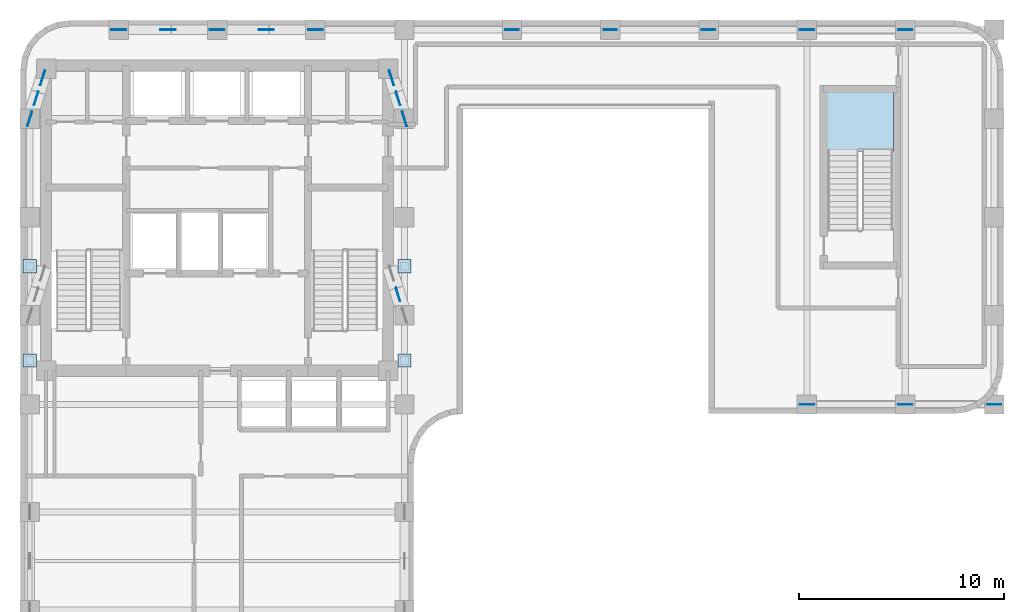
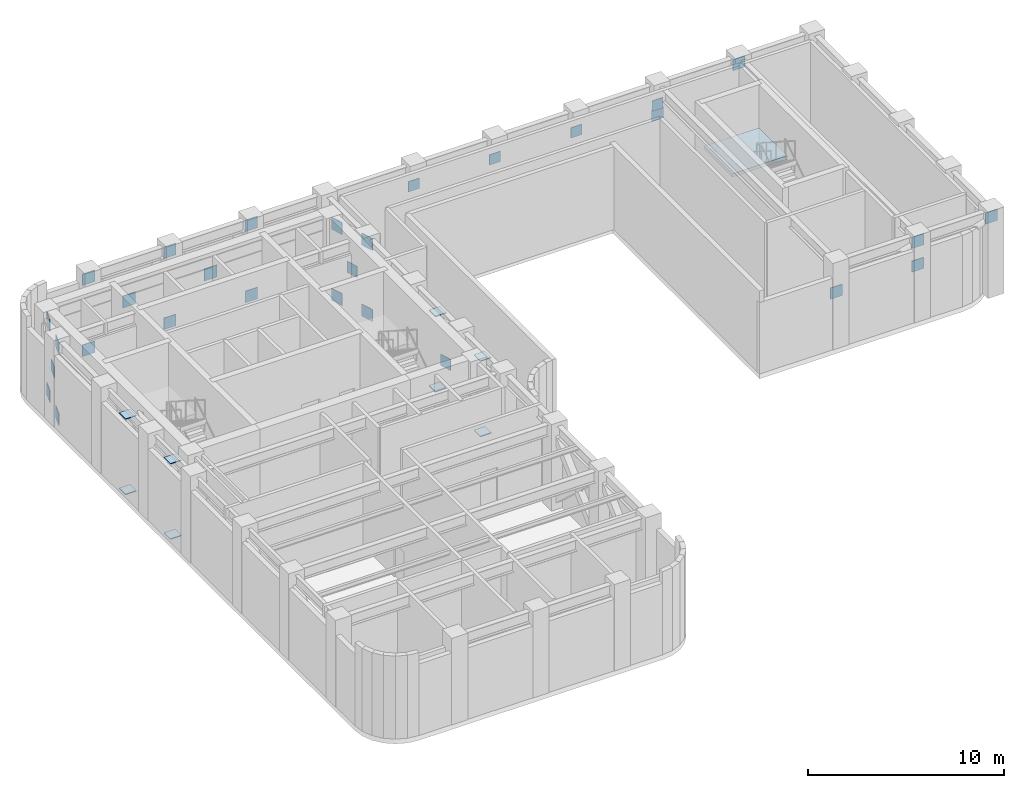
# One storey, part 4 of 9: 37 plates, 1 slab, 1 element without a shape of its own.
"""IFC4 building model written with IfcOpenShell, lengths in metres."""

from ifc_helpers import new_model, si_unit, direction, frame, origin, origin_2d, place, context, subcontext, project, spatial, polyline, rectangle, outline, extrude, material, layer, layer_set, type_object, element, aggregate, save


model = new_model("IFC4")

# Units and contexts
model_context = context("Model", 3, precision=1e-05, world=origin(), true_north=direction((0.0, 1.0)))
body_context = subcontext(model_context, "Body", "Model", "MODEL_VIEW")
ifc_project = project(units=[si_unit("LENGTHUNIT", "METRE"), si_unit("AREAUNIT", "SQUARE_METRE"), si_unit("VOLUMEUNIT", "CUBIC_METRE"), si_unit("PLANEANGLEUNIT", "RADIAN"), si_unit("MASSUNIT", "GRAM", prefix="KILO")], contexts=[model_context])

# Site, building, storey
site_placement = place(None, origin())
site = spatial("IfcSite", under=ifc_project, at=site_placement, CompositionType="ELEMENT")
building_placement = place(site_placement, origin())
building = spatial("IfcBuilding", under=site, at=building_placement, Name="Orvandelia Arch Residences", CompositionType="ELEMENT")
storey_placement = place(building_placement, frame((0.0, 0.0, 198.39990234375)))
storey = spatial("IfcBuildingStorey", under=building, at=storey_placement, Name="L52", CompositionType="ELEMENT", Elevation=198.39990234375)

# Plates
ifc_material_1 = material(Name="Structural Steel HSA650 (650 MPa)", Category="steel")
ifc_layer_1 = layer(ifc_material_1, 0.050048828125, Name="Structural Steel HSA650 (650 MPa)", Category="steel")
ifc_layer_set_1 = layer_set([ifc_layer_1], Name="Structural Steel HSA650 (650 MPa)")
plate_type_1 = type_object("IfcPlateType", Name="PLT-BASE-650", PredefinedType="USERDEFINED", material=ifc_layer_set_1)
for number, where, z_axis, x_axis, name in (
    (1, (5.25, 31.39990234375, 0.0), (0.0, 0.0, 1.0), (1.0, 0.0, 0.0), "Belt Post Base Plate L52-BPW-1"),
    (2, (5.25, 31.39990234375, 4.705078125), (0.0, 0.0, 1.0), (1.0, 0.0, 0.0), "Belt Post Top Cap Plate L52-BPW-1"),
    (3, (5.25, 36.0, 0.0), (0.0, 0.0, 1.0), (1.0, 0.0, 0.0), "Belt Post Base Plate L52-BPW-2"),
    (4, (5.25, 36.0, 4.705078125), (0.0, 0.0, 1.0), (1.0, 0.0, 0.0), "Belt Post Top Cap Plate L52-BPW-2"),
    (5, (23.550048828125, 31.39990234375, 0.0), (0.0, 0.0, 1.0), (1.0, 0.0, 0.0), "Belt Post Base Plate L52-BPE-1"),
    (6, (23.550048828125, 31.39990234375, 4.705078125), (0.0, 0.0, 1.0), (1.0, 0.0, 0.0), "Belt Post Top Cap Plate L52-BPE-1"),
    (7, (23.550048828125, 36.0, 0.0), (0.0, 0.0, 1.0), (1.0, 0.0, 0.0), "Belt Post Base Plate L52-BPE-2"),
    (8, (23.550048828125, 36.0, 4.705078125), (0.0, 0.0, 1.0), (1.0, 0.0, 0.0), "Belt Post Top Cap Plate L52-BPE-2"),
):
    element("IfcPlate", number, at=place(storey_placement, frame(where, z_axis=z_axis, x_axis=x_axis)), inside=storey, type_object=plate_type_1, Name=name, ObjectType="BASE_PLATE", PredefinedType="USERDEFINED", context=body_context, shape_type="SweptSolid", body=[
        extrude(rectangle(XDim=0.64990234375, YDim=0.64990234375, at=origin_2d()), origin(), (0.0, 0.0, 1.0), 0.050048828125),
    ])
ifc_layer_2 = layer(ifc_material_1, 0.0400390625, Name="Structural Steel HSA650 (650 MPa)", Category="steel")
ifc_layer_set_2 = layer_set([ifc_layer_2], Name="Structural Steel HSA650 (650 MPa)")
plate_type_2 = type_object("IfcPlateType", Name="PLT-GUSSET-650", PredefinedType="USERDEFINED", material=ifc_layer_set_2)
for number, where, z_axis, x_axis, name in (
    (9, (28.800048828125, 47.550048828125, 3.47509765625), (0.0, 0.0, 1.0), (1.0, 0.0, 0.0), "Collector Strut End Gusset Plate BS-4-W"),
    (10, (33.60009765625, 47.550048828125, 3.47509765625), (0.0, 0.0, 1.0), (1.0, 0.0, 0.0), "Collector Strut End Gusset Plate BS-4-E"),
    (11, (38.39990234375, 47.550048828125, 3.47509765625), (0.0, 0.0, 1.0), (1.0, 0.0, 0.0), "Collector Strut End Gusset Plate BS-5-E"),
    (12, (43.199951171875, 47.550048828125, 3.47509765625), (0.0, 0.0, 1.0), (1.0, 0.0, 0.0), "Collector Strut End Gusset Plate BS-6-E"),
):
    element("IfcPlate", number, at=place(storey_placement, frame(where, z_axis=z_axis, x_axis=x_axis)), inside=storey, type_object=plate_type_2, Name=name, ObjectType="GUSSET_PLATE", PredefinedType="USERDEFINED", context=body_context, shape_type="SweptSolid", body=[
        extrude(rectangle(XDim=0.64990234375, YDim=0.0400390625, at=origin_2d()), origin(), (0.0, 0.0, 1.0), 0.64990234375),
    ])
ifc_layer_3 = layer(ifc_material_1, 0.0400390625, Name="Structural Steel HSA650 (650 MPa)", Category="steel")
ifc_layer_set_3 = layer_set([ifc_layer_3], Name="Structural Steel HSA650 (650 MPa)")
plate_type_3 = type_object("IfcPlateType", Name="PLT-GUSSET-700", PredefinedType="USERDEFINED", material=ifc_layer_set_3)
for number, where, z_axis, x_axis, name in (
    (13, (43.199951171875, 29.25, 2.85009765625), (0.0, 0.0, 1.0), (1.0, 0.0, 0.0), "Sky-Garden Strut Lower Gusset Plate L52-1"),
    (14, (48.0, 29.25, 4.330078125), (0.0, 0.0, 1.0), (1.0, 0.0, 0.0), "Sky-Garden Strut Upper Gusset Plate L52-1"),
    (15, (48.0, 29.25, 2.85009765625), (0.0, 0.0, 1.0), (1.0, 0.0, 0.0), "Sky-Garden Strut Lower Gusset Plate L52-2"),
    (16, (52.35009765625, 29.25, 4.330078125), (0.0, 0.0, 1.0), (1.0, 0.0, 0.0), "Sky-Garden Strut Upper Gusset Plate L52-2"),
    (17, (43.199951171875, 47.550048828125, 2.85009765625), (0.0, 0.0, 1.0), (1.0, 0.0, 0.0), "Sky-Garden Strut Lower Gusset Plate L52-3"),
    (18, (48.0, 47.550048828125, 4.330078125), (0.0, 0.0, 1.0), (1.0, 0.0, 0.0), "Sky-Garden Strut Upper Gusset Plate L52-3"),
):
    element("IfcPlate", number, at=place(storey_placement, frame(where, z_axis=z_axis, x_axis=x_axis)), inside=storey, type_object=plate_type_3, Name=name, ObjectType="GUSSET_PLATE", PredefinedType="USERDEFINED", context=body_context, shape_type="SweptSolid", body=[
        extrude(rectangle(XDim=0.699951171875, YDim=0.0400390625, at=origin_2d()), origin(), (0.0, 0.0, 1.0), 0.699951171875),
    ])
ifc_layer_4 = layer(ifc_material_1, 0.0400390625, Name="Structural Steel HSA650 (650 MPa)", Category="steel")
ifc_layer_set_4 = layer_set([ifc_layer_4], Name="Structural Steel HSA650 (650 MPa)")
plate_type_4 = type_object("IfcPlateType", Name="PLT-GUSSET-720", PredefinedType="USERDEFINED", material=ifc_layer_set_4)
for number, where, z_axis, x_axis, name in (
    (19, (9.60009765625, 47.550048828125, -0.06005859375), (0.0, 0.0, 1.0), (1.0, 0.0, 0.0), "Belt Truss End Gusset Plate L52-BN-1-ALO"),
    (20, (14.39990234375, 47.550048828125, -0.06005859375), (0.0, 0.0, 1.0), (1.0, 0.0, 0.0), "Belt Truss End Gusset Plate L52-BN-1-BLO"),
    (21, (9.60009765625, 47.550048828125, 4.3701171875), (0.0, 0.0, 1.0), (1.0, 0.0, 0.0), "Belt Truss End Gusset Plate L52-BN-1-AHI"),
    (22, (14.39990234375, 47.550048828125, 4.3701171875), (0.0, 0.0, 1.0), (1.0, 0.0, 0.0), "Belt Truss End Gusset Plate L52-BN-1-BHI"),
    (23, (19.199951171875, 47.550048828125, -0.06005859375), (0.0, 0.0, 1.0), (1.0, 0.0, 0.0), "Belt Truss End Gusset Plate L52-BN-2-BLO"),
    (24, (19.199951171875, 47.550048828125, 4.3701171875), (0.0, 0.0, 1.0), (1.0, 0.0, 0.0), "Belt Truss End Gusset Plate L52-BN-2-BHI"),
):
    element("IfcPlate", number, at=place(storey_placement, frame(where, z_axis=z_axis, x_axis=x_axis)), inside=storey, type_object=plate_type_4, Name=name, ObjectType="GUSSET_PLATE", PredefinedType="USERDEFINED", context=body_context, shape_type="SweptSolid", body=[
        extrude(rectangle(XDim=0.719970703125, YDim=0.0400390625, at=origin_2d()), origin(), (0.0, 0.0, 1.0), 0.719970703125),
    ])
ifc_layer_5 = layer(ifc_material_1, 0.0400390625, Name="Structural Steel HSA650 (650 MPa)", Category="steel")
ifc_layer_set_5 = layer_set([ifc_layer_5], Name="Structural Steel HSA650 (650 MPa)")
plate_type_5 = type_object("IfcPlateType", Name="PLT-GUSSET-750", PredefinedType="USERDEFINED", material=ifc_layer_set_5)
for number, where, z_axis, x_axis, name in (
    (25, (5.25, 43.199951171875, -0.074951171875), (0.0, 0.0, 1.0), (0.300439459768, 0.953800886461, 0.0), "Outrigger End Gusset Plate L52-OW-N-ALO"),
    (26, (5.8798828125, 45.199951171875, -0.074951171875), (0.0, 0.0, 1.0), (0.300439459768, 0.953800886461, 0.0), "Outrigger End Gusset Plate L52-OW-N-BLO"),
    (27, (5.25, 43.199951171875, 4.35498046875), (0.0, 0.0, 1.0), (0.300439459768, 0.953800886461, 0.0), "Outrigger End Gusset Plate L52-OW-N-AHI"),
    (28, (5.8798828125, 45.199951171875, 4.35498046875), (0.0, 0.0, 1.0), (0.300439459768, 0.953800886461, 0.0), "Outrigger End Gusset Plate L52-OW-N-BHI"),
    (29, (23.550048828125, 43.199951171875, -0.074951171875), (0.0, 0.0, 1.0), (-0.300439459768, 0.953800886461, 0.0), "Outrigger End Gusset Plate L52-OE-N-ALO"),
    (30, (22.919921875, 45.199951171875, -0.074951171875), (0.0, 0.0, 1.0), (-0.300439459768, 0.953800886461, 0.0), "Outrigger End Gusset Plate L52-OE-N-BLO"),
    (31, (23.550048828125, 43.199951171875, 4.35498046875), (0.0, 0.0, 1.0), (-0.300439459768, 0.953800886461, 0.0), "Outrigger End Gusset Plate L52-OE-N-AHI"),
    (32, (22.919921875, 45.199951171875, 4.35498046875), (0.0, 0.0, 1.0), (-0.300439459768, 0.953800886461, 0.0), "Outrigger End Gusset Plate L52-OE-N-BHI"),
):
    element("IfcPlate", number, at=place(storey_placement, frame(where, z_axis=z_axis, x_axis=x_axis)), inside=storey, type_object=plate_type_5, Name=name, ObjectType="GUSSET_PLATE", PredefinedType="USERDEFINED", context=body_context, shape_type="SweptSolid", body=[
        extrude(rectangle(XDim=0.75, YDim=0.0400390625, at=origin_2d()), origin(), (0.0, 0.0, 1.0), 0.75),
    ])
ifc_material_2 = material(Name="Structural Steel SM355 (355 MPa)", Category="steel")
ifc_layer_6 = layer(ifc_material_2, 0.035888671875, Name="Structural Steel SM355 (355 MPa)", Category="steel")
ifc_layer_set_6 = layer_set([ifc_layer_6], Name="Structural Steel SM355 (355 MPa)")
plate_type_6 = type_object("IfcPlateType", Name="PLT-NODE-700", PredefinedType="SHEET", material=ifc_layer_set_6)
for number, where, z_axis, x_axis, name in (
    (33, (5.56494140625, 44.199951171875, 2.1650390625), (0.0, 0.0, 1.0), (0.300439459768, 0.953800886461, 0.0), "Outrigger X-Node Gusset Plate L52-OW-N"),
    (34, (23.235107421875, 34.625, 2.1650390625), (0.0, 0.0, 1.0), (-0.293756722797, 0.955880216246, 0.0), "Outrigger X-Node Gusset Plate L52-OE-S"),
    (35, (23.235107421875, 44.199951171875, 2.1650390625), (0.0, 0.0, 1.0), (-0.300439459768, 0.953800886461, 0.0), "Outrigger X-Node Gusset Plate L52-OE-N"),
):
    element("IfcPlate", number, at=place(storey_placement, frame(where, z_axis=z_axis, x_axis=x_axis)), inside=storey, type_object=plate_type_6, Name=name, PredefinedType="SHEET", context=body_context, shape_type="SweptSolid", body=[
        extrude(rectangle(XDim=0.699951171875, YDim=0.035888671875, at=origin_2d()), origin(), (0.0, 0.0, 1.0), 0.699951171875),
    ])
ifc_layer_7 = layer(ifc_material_2, 0.035888671875, Name="Structural Steel SM355 (355 MPa)", Category="steel")
ifc_layer_set_7 = layer_set([ifc_layer_7], Name="Structural Steel SM355 (355 MPa)")
plate_type_7 = type_object("IfcPlateType", Name="PLT-NODE-750", PredefinedType="SHEET", material=ifc_layer_set_7)
for number, where, z_axis, x_axis, name in (
    (36, (12.0, 47.550048828125, 2.14013671875), (0.0, 0.0, 1.0), (1.0, 0.0, 0.0), "Belt Truss X-Node Gusset Plate L52-BN-1"),
    (37, (16.800048828125, 47.550048828125, 2.14013671875), (0.0, 0.0, 1.0), (1.0, 0.0, 0.0), "Belt Truss X-Node Gusset Plate L52-BN-2"),
):
    element("IfcPlate", number, at=place(storey_placement, frame(where, z_axis=z_axis, x_axis=x_axis)), inside=storey, type_object=plate_type_7, Name=name, PredefinedType="SHEET", context=body_context, shape_type="SweptSolid", body=[
        extrude(rectangle(XDim=0.75, YDim=0.035888671875, at=origin_2d()), origin(), (0.0, 0.0, 1.0), 0.75),
    ])

# Stair, slab
ifc_material_3 = material(Name="Concrete C40/50", Category="concrete")
stair_type = type_object("IfcStairType", Name="STAIR-RC-DOGLEG", PredefinedType="HALF_TURN_STAIR", material=ifc_material_3)
stair_placement = place(storey_placement, origin())
stair = element("IfcStair", 38, at=stair_placement, inside=storey, type_object=stair_type, Name="L52 East Wing Exit Stair ST-3", PredefinedType="HALF_TURN_STAIR")
ifc_layer_8 = layer(ifc_material_3, 0.219970703125, Name="Concrete C40/50", Category="concrete")
ifc_layer_set_8 = layer_set([ifc_layer_8], Name="Concrete C40/50")
slab_type = type_object("IfcSlabType", Name="SLB-LANDING-220", PredefinedType="LANDING", material=ifc_layer_set_8)
slab_placement = place(storey_placement, frame((0.0, 0.0, 2.5)))
slab = element("IfcSlab", 39, at=slab_placement, type_object=slab_type, Name="ST-3 landing 1", PredefinedType="LANDING", context=body_context, shape_type="SweptSolid", body=[
    extrude(outline(polyline([(47.43994140625, 41.610107421875), (47.43994140625, 44.5), (44.179931640625, 44.5), (44.179931640625, 41.610107421875), (47.43994140625, 41.610107421875)])), origin(), (0.0, 0.0, 1.0), 0.2001953125),
])
aggregate(stair, [slab])

save(model, "model.ifc")
